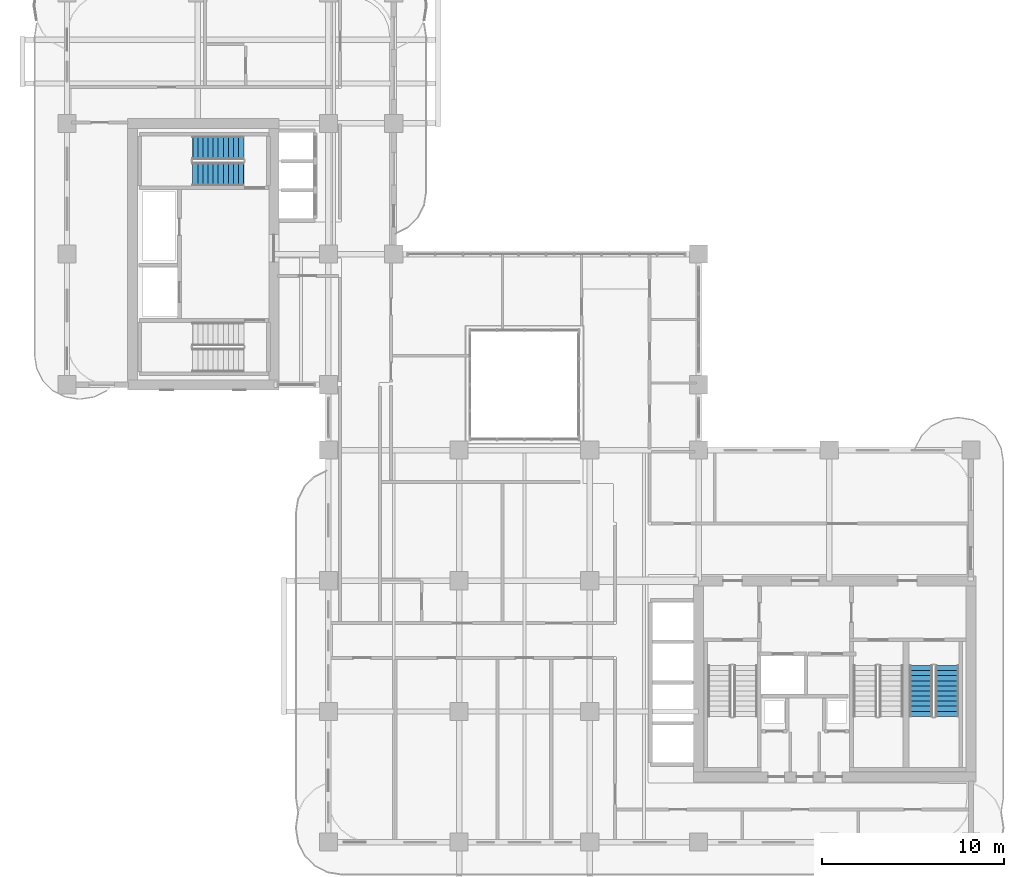
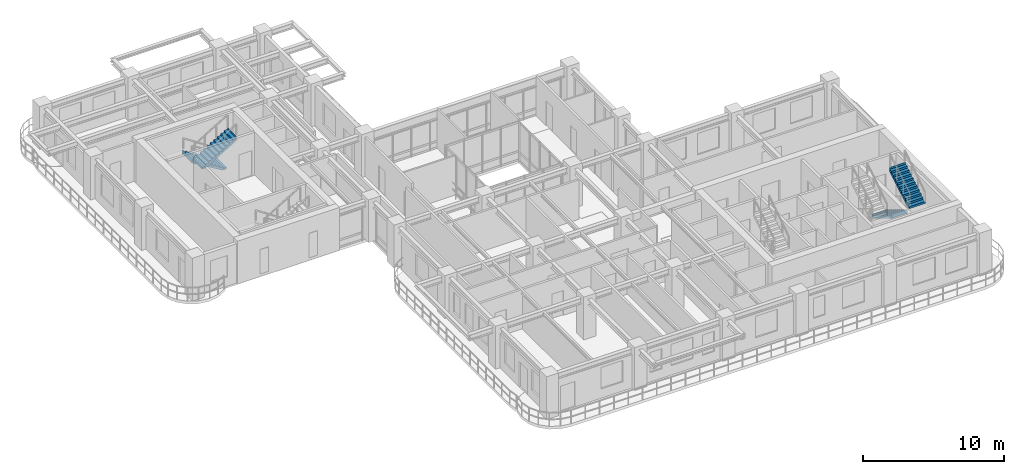
# One storey, part 16 of 21: 4 stair flights, 2 elements without a shape of their own.
"""IFC4 building model written with IfcOpenShell, lengths in metres."""

from ifc_helpers import new_model, si_unit, derived_unit, direction, frame, origin, place, context, subcontext, project, spatial, polyline, outline, extrude, source, transform, mapped, material, layer, layer_set, type_object, element, aggregate, save


model = new_model("IFC4")

# Units and contexts
model_context = context("Model", 3, precision=1e-05, world=origin(), true_north=direction((0.0, 1.0)))
body_context = subcontext(model_context, "Body", "Model", "MODEL_VIEW")
ifc_project = project(units=[si_unit("LENGTHUNIT", "METRE"), si_unit("AREAUNIT", "SQUARE_METRE"), si_unit("VOLUMEUNIT", "CUBIC_METRE"), si_unit("PLANEANGLEUNIT", "RADIAN"), si_unit("MASSUNIT", "GRAM", prefix="KILO"), si_unit("THERMODYNAMICTEMPERATUREUNIT", "KELVIN"), si_unit("POWERUNIT", "WATT"), derived_unit("THERMALTRANSMITTANCEUNIT", [(si_unit("POWERUNIT", "WATT"), 1), (si_unit("AREAUNIT", "SQUARE_METRE"), -1), (si_unit("THERMODYNAMICTEMPERATUREUNIT", "KELVIN"), -1)])], contexts=[model_context])

# Site, building, storey
site_placement = place(None, origin())
site = spatial("IfcSite", under=ifc_project, at=site_placement, CompositionType="ELEMENT")
building_placement = place(site_placement, origin())
building = spatial("IfcBuilding", under=site, at=building_placement, Name="Zahravan Archway Hotel and Residences", CompositionType="ELEMENT")
storey_placement = place(building_placement, frame((0.0, 0.0, 141.39990234375)))
storey = spatial("IfcBuildingStorey", under=building, at=storey_placement, Name="L35", CompositionType="ELEMENT", Elevation=141.39990234375)

# Stair, stair flights
ifc_material = material(Name="Concrete C50/60", Category="concrete")
stair_type = type_object("IfcStairType", Name="STR-CORE-1300", PredefinedType="HALF_TURN_STAIR", material=ifc_material)
stair_1_placement = place(storey_placement, origin())
stair_1 = element("IfcStair", 1, at=stair_1_placement, inside=storey, type_object=stair_type, Name="L35 Core A Exit Stair 3", PredefinedType="HALF_TURN_STAIR")
ifc_layer = layer(ifc_material, 0.199951171875, Name="Concrete C50/60", Category="concrete")
ifc_layer_set = layer_set([ifc_layer], Name="Concrete C50/60")
stair_flight_type = type_object("IfcStairFlightType", Name="SFL-CORE-1300", PredefinedType="STRAIGHT", material=ifc_layer_set)
shared_shape = source(origin(), body_context, "Body", "SweptSolid", [
    extrude(outline(polyline([(-0.01611328125, 0.0), (-0.01611328125, 0.168212890625), (0.280029296875, 0.168212890625), (0.280029296875, 0.33642578125), (0.56005859375, 0.33642578125), (0.56005859375, 0.504638671875), (0.840087890625, 0.504638671875), (0.840087890625, 0.672607421875), (1.1201171875, 0.672607421875), (1.1201171875, 0.8408203125), (1.39990234375, 0.8408203125), (1.39990234375, 1.009033203125), (1.679931640625, 1.009033203125), (1.679931640625, 1.17724609375), (1.9599609375, 1.17724609375), (1.9599609375, 1.345458984375), (2.239990234375, 1.345458984375), (2.239990234375, 1.513671875), (2.52001953125, 1.513671875), (2.52001953125, 1.681884765625), (2.800048828125, 1.681884765625), (2.800048828125, 1.85009765625), (2.816162109375, 1.85009765625), (2.816162109375, 1.5068359375), (0.291015625, 0.0), (-0.01611328125, 0.0)])), frame((0.0, 0.64990234375, 0.0), z_axis=(0.0, -1.0, 0.0), x_axis=(1.0, 0.0, 0.0)), (0.0, 0.0, 1.0), 1.300048828125),
])
stair_flight_1_placement = place(storey_placement, frame((47.050048828125, 9.72998046875, 0.0), z_axis=(0.0, 0.0, 1.0), x_axis=(0.0, -1.0, 0.0)))
stair_flight_1 = element("IfcStairFlight", 2, at=stair_flight_1_placement, type_object=stair_flight_type, Name="ST-A3 flight 1", NumberOfRisers=11, NumberOfTreads=10, PredefinedType="STRAIGHT", RiserHeight=0.168181818, TreadLength=0.28, context=body_context, shape_type="MappedRepresentation", body=[
    mapped(shared_shape, transform((0.0, 0.0, 0.0), scale=1.0)),
])
stair_flight_2_placement = place(storey_placement, frame((48.489990234375, 6.929931640625, 1.85009765625), z_axis=(0.0, 0.0, 1.0), x_axis=(0.0, 1.0, 0.0)))
stair_flight_2 = element("IfcStairFlight", 3, at=stair_flight_2_placement, type_object=stair_flight_type, Name="ST-A3 flight 2", NumberOfRisers=11, NumberOfTreads=10, PredefinedType="STRAIGHT", RiserHeight=0.168181818, TreadLength=0.28, context=body_context, shape_type="MappedRepresentation", body=[
    mapped(shared_shape, transform((0.0, 0.0, 0.0), scale=1.0)),
])
aggregate(stair_1, [stair_flight_1, stair_flight_2])

stair_2_placement = place(storey_placement, origin())
stair_2 = element("IfcStair", 4, at=stair_2_placement, inside=storey, type_object=stair_type, Name="L35 Core B Exit Stair 2", PredefinedType="HALF_TURN_STAIR")
stair_flight_3_placement = place(storey_placement, frame((9.72998046875, 38.25, 0.0), z_axis=(0.0, 0.0, 1.0), x_axis=(-1.0, 0.0, 0.0)))
stair_flight_3 = element("IfcStairFlight", 5, at=stair_flight_3_placement, type_object=stair_flight_type, Name="ST-B2 flight 1", NumberOfRisers=11, NumberOfTreads=10, PredefinedType="STRAIGHT", RiserHeight=0.168181818, TreadLength=0.28, context=body_context, shape_type="MappedRepresentation", body=[
    mapped(shared_shape, transform((0.0, 0.0, 0.0), scale=1.0)),
])
stair_flight_4_placement = place(storey_placement, frame((6.929931640625, 36.81005859375, 1.85009765625), z_axis=(0.0, 0.0, 1.0), x_axis=(1.0, 0.0, 0.0)))
stair_flight_4 = element("IfcStairFlight", 6, at=stair_flight_4_placement, type_object=stair_flight_type, Name="ST-B2 flight 2", NumberOfRisers=11, NumberOfTreads=10, PredefinedType="STRAIGHT", RiserHeight=0.168181818, TreadLength=0.28, context=body_context, shape_type="MappedRepresentation", body=[
    mapped(shared_shape, transform((0.0, 0.0, 0.0), scale=1.0)),
])
aggregate(stair_2, [stair_flight_3, stair_flight_4])

save(model, "model.ifc")
